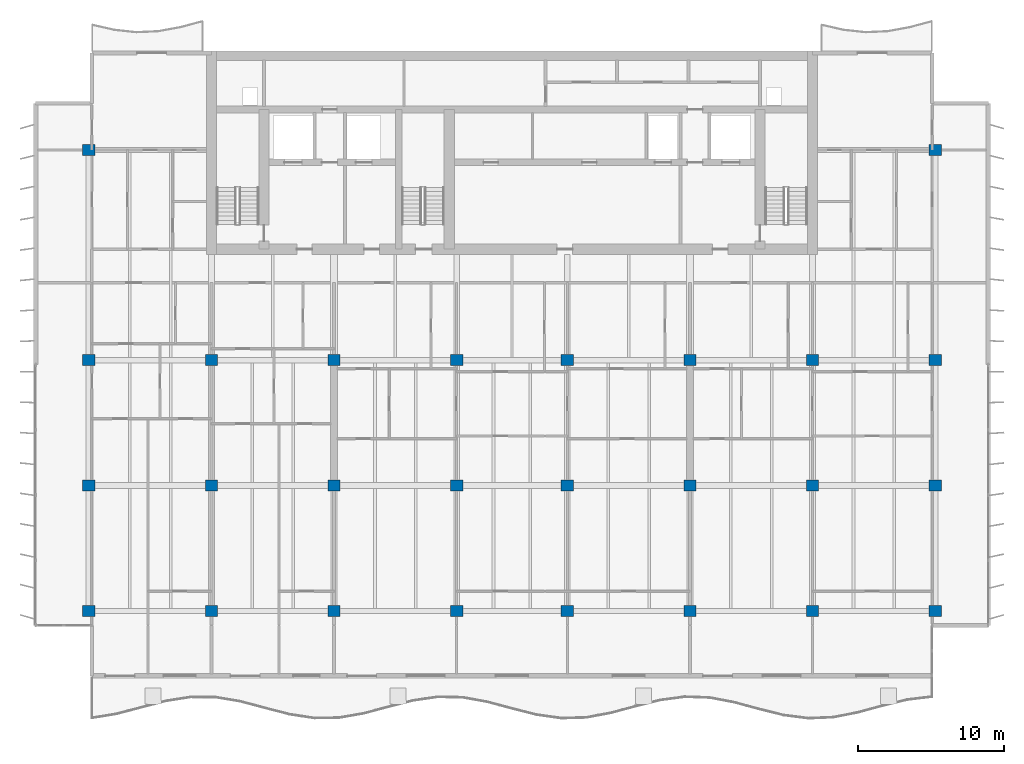
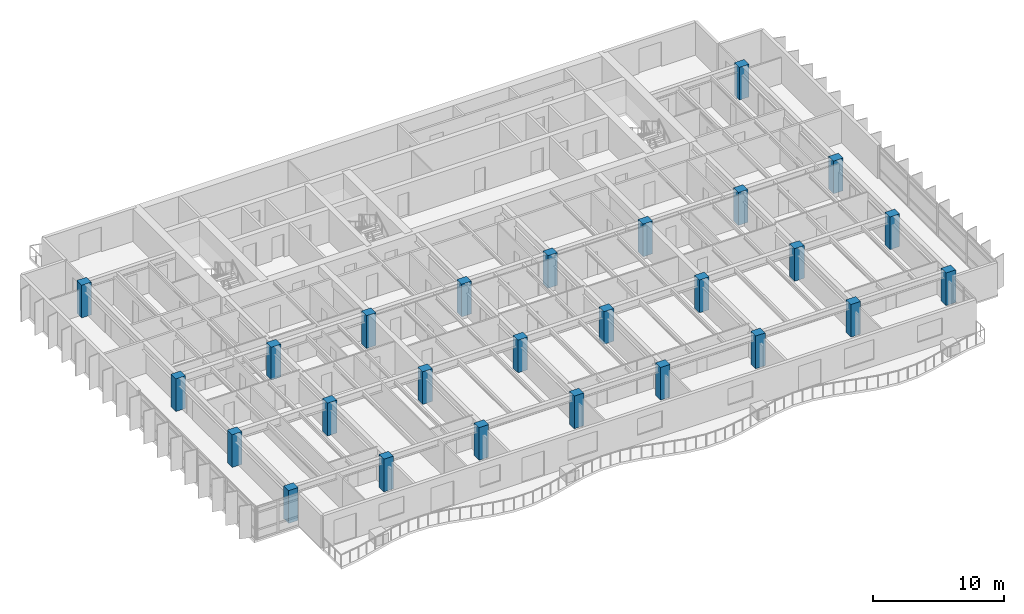
# One storey, part 1 of 17: 26 columns.
"""IFC4 building model written with IfcOpenShell, lengths in metres."""

import ifcopenshell
import ifcopenshell.guid

model = None  # the IFC model being written
_history = None  # IfcOwnerHistory: only IFC2X3 demands one
_inside = {}  # id of a spatial element -> (the spatial element, [elements in it])
_under = {}  # id of a project, library or spatial element -> (it, [spatial elements below it])
_declared = {}  # id of a project -> (the project, [libraries it declares])
_typed = {}  # id of a type object -> (the type object, [elements of that type])
_made_of = {}  # id of a material, layer set ... -> (it, [elements and type objects made of it])


def new_model(schema):
    """Start an empty IFC model of exactly this schema.

    Asked for "IFC4X3", IfcOpenShell would pick the latest addendum, in which some entities
    have other attributes; the version numbers below select the first issue.
    IFC2X3 requires an IfcOwnerHistory on every rooted entity: one is made here for all.
    """
    global model, _history
    if schema == "IFC4X3":
        model = ifcopenshell.file(schema_version=(4, 3, 0, 0))
    else:
        model = ifcopenshell.file(schema=schema)
    _inside.clear()
    _under.clear()
    _declared.clear()
    _typed.clear()
    _made_of.clear()
    _history = None
    if model.schema == "IFC2X3":
        org = make("IfcOrganization", Name="unknown")
        user = make(
            "IfcPersonAndOrganization",
            ThePerson=make("IfcPerson", FamilyName="unknown"),
            TheOrganization=org,
        )
        app = make(
            "IfcApplication",
            ApplicationDeveloper=org,
            Version="unknown",
            ApplicationFullName="unknown",
            ApplicationIdentifier="unknown",
        )
        _history = make(
            "IfcOwnerHistory",
            OwningUser=user,
            OwningApplication=app,
            ChangeAction="ADDED",
            CreationDate=0,
        )
    return model


def make(cls, **values):
    """One entity of the class cls with the attributes given. An attribute that is None is left unset."""
    return model.create_entity(
        cls, **{name: value for name, value in values.items() if value is not None}
    )


def rooted(cls, **values):
    """An entity with a GlobalId (a new one), such as an element, a storey or a relation."""
    return make(cls, GlobalId=ifcopenshell.guid.new(), OwnerHistory=_history, **values)


def si_unit(unit_type, name, prefix=None):
    """IfcSIUnit, for example si_unit("LENGTHUNIT", "METRE", prefix="MILLI")."""
    return make("IfcSIUnit", UnitType=unit_type, Prefix=prefix, Name=name)


def assignment(units):
    """IfcUnitAssignment: the units of a project."""
    return None if units is None else make("IfcUnitAssignment", Units=units)


def point(xyz):
    """IfcCartesianPoint."""
    return None if xyz is None else make("IfcCartesianPoint", Coordinates=xyz)


def direction(xyz):
    """IfcDirection."""
    return None if xyz is None else make("IfcDirection", DirectionRatios=xyz)


def frame(location, z_axis=None, x_axis=None):
    """IfcAxis2Placement3D, a coordinate frame: its origin and axes. An axis left out is left unset."""
    return make(
        "IfcAxis2Placement3D",
        Location=point(location),
        Axis=direction(z_axis),
        RefDirection=direction(x_axis),
    )


def frame_2d(location, x_axis=None):
    """IfcAxis2Placement2D, a coordinate frame in the plane: its origin and x axis."""
    return make(
        "IfcAxis2Placement2D", Location=point(location), RefDirection=direction(x_axis)
    )


def origin():
    """The frame at (0, 0, 0) with its axes left unset."""
    return frame((0.0, 0.0, 0.0))


def origin_2d():
    """The frame at (0, 0) in the plane with its x axis left unset."""
    return frame_2d((0.0, 0.0))


def place(relative_to, where):
    """IfcLocalPlacement: puts the frame where relative to a parent placement (None: the world)."""
    return make(
        "IfcLocalPlacement", PlacementRelTo=relative_to, RelativePlacement=where
    )


def context(
    kind, dimensions, precision=None, world=None, true_north=None, identifier=None
):
    """IfcGeometricRepresentationContext, for example the 3D "Model" context."""
    return make(
        "IfcGeometricRepresentationContext",
        ContextIdentifier=identifier,
        ContextType=kind,
        CoordinateSpaceDimension=dimensions,
        Precision=precision,
        WorldCoordinateSystem=world,
        TrueNorth=true_north,
    )


def subcontext(parent, identifier, kind, view, scale=None):
    """IfcGeometricRepresentationSubContext, for example "Body" below "Model"."""
    return make(
        "IfcGeometricRepresentationSubContext",
        ContextIdentifier=identifier,
        ContextType=kind,
        ParentContext=parent,
        TargetScale=scale,
        TargetView=view,
    )


def project(units=None, contexts=None):
    """IfcProject with its units and contexts."""
    return rooted(
        "IfcProject",
        Name="project",
        RepresentationContexts=contexts,
        UnitsInContext=assignment(units),
    )


def spatial(cls, under=None, at=None, **own):
    """A site, building, storey or space (cls), placed at a placement, below another one or the project."""
    s = rooted(cls, ObjectPlacement=at, **own)
    if under is not None:
        _under.setdefault(under.id(), (under, []))[1].append(s)
    return s


def profile(cls, at=None, kind="AREA", **sizes):
    """A parametric profile (cls). Its sizes go by their IFC names, for example OverallWidth=200.0."""
    return make(cls, ProfileType=kind, Position=at, **sizes)


def rectangle(**sizes):
    """IfcRectangleProfileDef."""
    return profile("IfcRectangleProfileDef", **sizes)


def extrude(swept, where, along, depth):
    """IfcExtrudedAreaSolid: the profile swept, set in the frame where, extruded along a direction by depth."""
    return make(
        "IfcExtrudedAreaSolid",
        SweptArea=swept,
        Position=where,
        ExtrudedDirection=direction(along),
        Depth=depth,
    )


def shape(context_of_items, identifier, shape_type, items):
    """IfcShapeRepresentation: the items that make up one representation, for example the "Body"."""
    return make(
        "IfcShapeRepresentation",
        ContextOfItems=context_of_items,
        RepresentationIdentifier=identifier,
        RepresentationType=shape_type,
        Items=items,
    )


def material(Name=None, Category=None):
    """IfcMaterial."""
    return make("IfcMaterial", Name=Name, Category=Category)


def material_profile(
    of_material, cross_section, Name=None, Category=None, Priority=None
):
    """IfcMaterialProfile: a cross section and its material."""
    return make(
        "IfcMaterialProfile",
        Name=Name,
        Material=of_material,
        Profile=cross_section,
        Priority=Priority,
        Category=Category,
    )


def profile_set(profiles, Name=None, composite=None):
    """IfcMaterialProfileSet."""
    return make(
        "IfcMaterialProfileSet",
        Name=Name,
        MaterialProfiles=profiles,
        CompositeProfile=composite,
    )


def made_of(thing, what):
    """Note that an element or type object is made of a material, layer set ...; save() writes the relation."""
    if what is not None:
        _made_of.setdefault(what.id(), (what, []))[1].append(thing)
    return thing


def type_object(cls, material=None, **own):
    """A type object (cls), such as IfcWallType, which elements share."""
    return made_of(rooted(cls, **own), material)


def element(
    cls,
    number,
    at=None,
    inside=None,
    cuts=None,
    type_object=None,
    material=None,
    context=None,
    identifier="Body",
    shape_type=None,
    held_by="IfcProductDefinitionShape",
    body=None,
    shapes=None,
    **own,
):
    """One element of the class cls, such as IfcWall. Its Tag is "e" and its number.

    at: its placement. inside: the storey or other place that contains it. cuts: it is an
    opening in that element (IfcRelVoidsElement). A single representation is given by context,
    identifier, shape_type and body (its items); several are given by shapes. held_by: the class
    of the entity that holds the representations. save() writes the other relations.
    """
    e = rooted(cls, Tag="e%d" % number, ObjectPlacement=at, **own)
    if body is not None:
        shapes = [shape(context, identifier, shape_type, body)]
    if shapes is not None:
        e.Representation = make(held_by, Representations=shapes)
    if inside is not None:
        _inside.setdefault(inside.id(), (inside, []))[1].append(e)
    if cuts is not None:
        rooted(
            "IfcRelVoidsElement", RelatingBuildingElement=cuts, RelatedOpeningElement=e
        )
    if type_object is not None:
        _typed.setdefault(type_object.id(), (type_object, []))[1].append(e)
    return made_of(e, material)


def aggregate(whole, parts):
    """IfcRelAggregates: a whole, such as a stair, and the parts it consists of."""
    return rooted("IfcRelAggregates", RelatingObject=whole, RelatedObjects=parts)


def save(model, path):
    """Write the relations noted so far, then the file.

    IfcRelAggregates (storeys below a building ...), IfcRelContainedInSpatialStructure (elements
    in a storey), IfcRelDefinesByType, IfcRelAssociatesMaterial and IfcRelDeclares: one each for
    every whole, place, type object, material and project.
    """
    for whole, parts in _under.values():
        aggregate(whole, parts)
    for where, things in _inside.values():
        rooted(
            "IfcRelContainedInSpatialStructure",
            RelatedElements=things,
            RelatingStructure=where,
        )
    for kind, things in _typed.values():
        rooted("IfcRelDefinesByType", RelatedObjects=things, RelatingType=kind)
    for what, things in _made_of.values():
        rooted("IfcRelAssociatesMaterial", RelatedObjects=things, RelatingMaterial=what)
    for by, libraries in _declared.values():
        rooted("IfcRelDeclares", RelatingContext=by, RelatedDefinitions=libraries)
    model.write(path)


model = new_model("IFC4")

# Units and contexts
model_context = context("Model", 3, precision=1e-05, world=origin(), true_north=direction((0.0, 1.0)))
body_context = subcontext(model_context, "Body", "Model", "MODEL_VIEW")
ifc_project = project(units=[si_unit("LENGTHUNIT", "METRE"), si_unit("AREAUNIT", "SQUARE_METRE"), si_unit("VOLUMEUNIT", "CUBIC_METRE"), si_unit("PLANEANGLEUNIT", "RADIAN"), si_unit("MASSUNIT", "GRAM", prefix="KILO")], contexts=[model_context])

# Site, building, storey
site_placement = place(None, origin())
site = spatial("IfcSite", under=ifc_project, at=site_placement, CompositionType="ELEMENT")
building_placement = place(site_placement, origin())
building = spatial("IfcBuilding", under=site, at=building_placement, Name="Caelmar Bay Residences", CompositionType="ELEMENT")
storey_placement = place(building_placement, frame((0.0, 0.0, 201.60009765625)))
storey = spatial("IfcBuildingStorey", under=building, at=storey_placement, Name="L56", CompositionType="ELEMENT", Elevation=201.60009765625)

# Columns
ifc_material = material(Name="Concrete f'c 55 MPa (8,000 psi)", Category="concrete")
ifc_material_profile = material_profile(ifc_material, rectangle(XDim=0.85009765625, YDim=0.75, at=origin_2d()), Name="RC-COL-850X750")
ifc_profile_set = profile_set([ifc_material_profile], Name="Concrete f'c 55 MPa (8,000 psi)")
column_type = type_object("IfcColumnType", Name="COL-RC-850X750", PredefinedType="COLUMN", material=ifc_profile_set)
for number, where, z_axis, x_axis, name in (
    (1, (9.89990234375, 12.199951171875, 0.0), (0.0, 0.0, 1.0), (1.0, 0.0, 0.0), "L56 Column (9.90,12.20)"),
    (2, (18.300048828125, 12.199951171875, 0.0), (0.0, 0.0, 1.0), (1.0, 0.0, 0.0), "L56 Column (18.30,12.20)"),
    (3, (26.699951171875, 12.199951171875, 0.0), (0.0, 0.0, 1.0), (1.0, 0.0, 0.0), "L56 Column (26.70,12.20)"),
    (4, (35.10009765625, 12.199951171875, 0.0), (0.0, 0.0, 1.0), (1.0, 0.0, 0.0), "L56 Column (35.10,12.20)"),
    (5, (42.699951171875, 12.199951171875, 0.0), (0.0, 0.0, 1.0), (1.0, 0.0, 0.0), "L56 Column (42.70,12.20)"),
    (6, (51.10009765625, 12.199951171875, 0.0), (0.0, 0.0, 1.0), (1.0, 0.0, 0.0), "L56 Column (51.10,12.20)"),
    (7, (59.5, 12.199951171875, 0.0), (0.0, 0.0, 1.0), (1.0, 0.0, 0.0), "L56 Column (59.50,12.20)"),
    (8, (67.89990234375, 12.199951171875, 0.0), (0.0, 0.0, 1.0), (1.0, 0.0, 0.0), "L56 Column (67.90,12.20)"),
    (9, (9.89990234375, 20.800048828125, 0.0), (0.0, 0.0, 1.0), (1.0, 0.0, 0.0), "L56 Column (9.90,20.80)"),
    (10, (18.300048828125, 20.800048828125, 0.0), (0.0, 0.0, 1.0), (1.0, 0.0, 0.0), "L56 Column (18.30,20.80)"),
    (11, (26.699951171875, 20.800048828125, 0.0), (0.0, 0.0, 1.0), (1.0, 0.0, 0.0), "L56 Column (26.70,20.80)"),
    (12, (35.10009765625, 20.800048828125, 0.0), (0.0, 0.0, 1.0), (1.0, 0.0, 0.0), "L56 Column (35.10,20.80)"),
    (13, (42.699951171875, 20.800048828125, 0.0), (0.0, 0.0, 1.0), (1.0, 0.0, 0.0), "L56 Column (42.70,20.80)"),
    (14, (51.10009765625, 20.800048828125, 0.0), (0.0, 0.0, 1.0), (1.0, 0.0, 0.0), "L56 Column (51.10,20.80)"),
    (15, (59.5, 20.800048828125, 0.0), (0.0, 0.0, 1.0), (1.0, 0.0, 0.0), "L56 Column (59.50,20.80)"),
    (16, (67.89990234375, 20.800048828125, 0.0), (0.0, 0.0, 1.0), (1.0, 0.0, 0.0), "L56 Column (67.90,20.80)"),
    (17, (9.89990234375, 29.39990234375, 0.0), (0.0, 0.0, 1.0), (1.0, 0.0, 0.0), "L56 Column (9.90,29.40)"),
    (18, (18.300048828125, 29.39990234375, 0.0), (0.0, 0.0, 1.0), (1.0, 0.0, 0.0), "L56 Column (18.30,29.40)"),
    (19, (26.699951171875, 29.39990234375, 0.0), (0.0, 0.0, 1.0), (1.0, 0.0, 0.0), "L56 Column (26.70,29.40)"),
    (20, (35.10009765625, 29.39990234375, 0.0), (0.0, 0.0, 1.0), (1.0, 0.0, 0.0), "L56 Column (35.10,29.40)"),
    (21, (42.699951171875, 29.39990234375, 0.0), (0.0, 0.0, 1.0), (1.0, 0.0, 0.0), "L56 Column (42.70,29.40)"),
    (22, (51.10009765625, 29.39990234375, 0.0), (0.0, 0.0, 1.0), (1.0, 0.0, 0.0), "L56 Column (51.10,29.40)"),
    (23, (59.5, 29.39990234375, 0.0), (0.0, 0.0, 1.0), (1.0, 0.0, 0.0), "L56 Column (59.50,29.40)"),
    (24, (67.89990234375, 29.39990234375, 0.0), (0.0, 0.0, 1.0), (1.0, 0.0, 0.0), "L56 Column (67.90,29.40)"),
    (25, (9.89990234375, 43.800048828125, 0.0), (0.0, 0.0, 1.0), (1.0, 0.0, 0.0), "L56 Column (9.90,43.80)"),
    (26, (67.89990234375, 43.800048828125, 0.0), (0.0, 0.0, 1.0), (1.0, 0.0, 0.0), "L56 Column (67.90,43.80)"),
):
    element("IfcColumn", number, at=place(storey_placement, frame(where, z_axis=z_axis, x_axis=x_axis)), inside=storey, type_object=column_type, Name=name, PredefinedType="COLUMN", context=body_context, shape_type="SweptSolid", body=[
        extrude(rectangle(XDim=0.85009765625, YDim=0.75, at=origin_2d()), origin(), (0.0, 0.0, 1.0), 3.0498046875),
    ])

save(model, "model.ifc")
